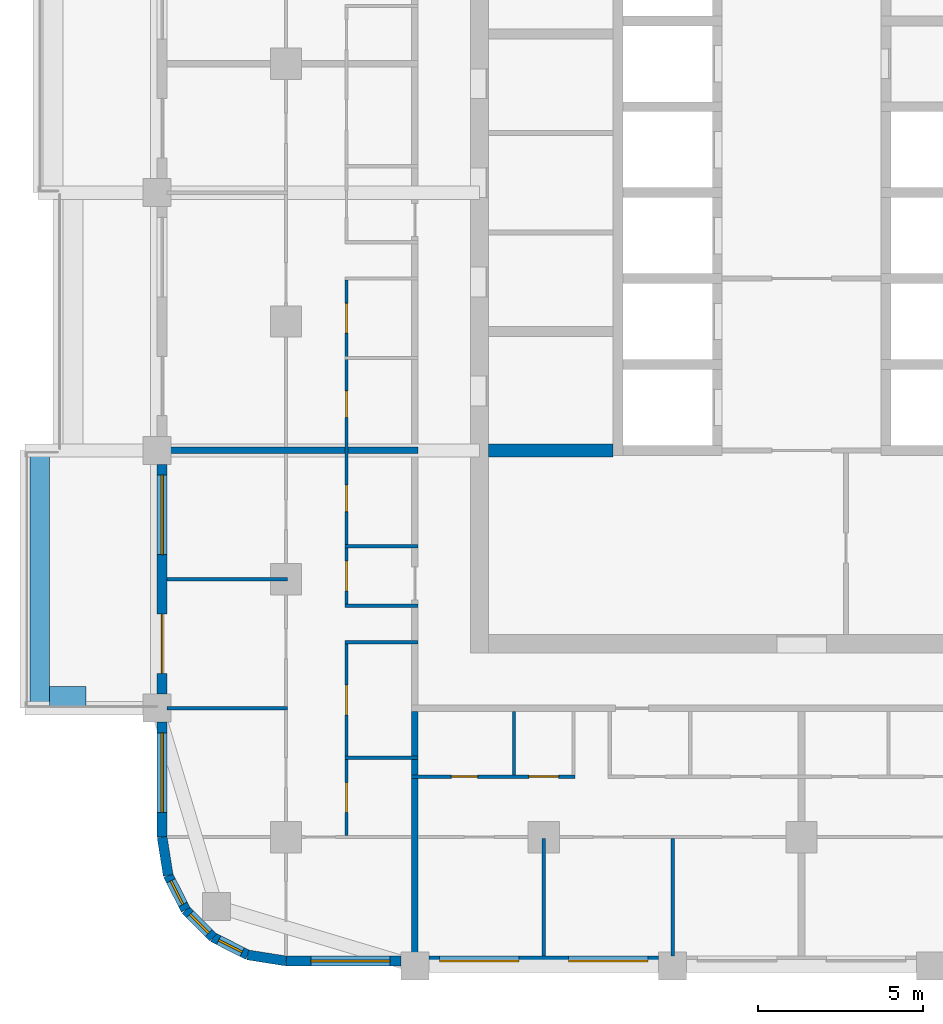
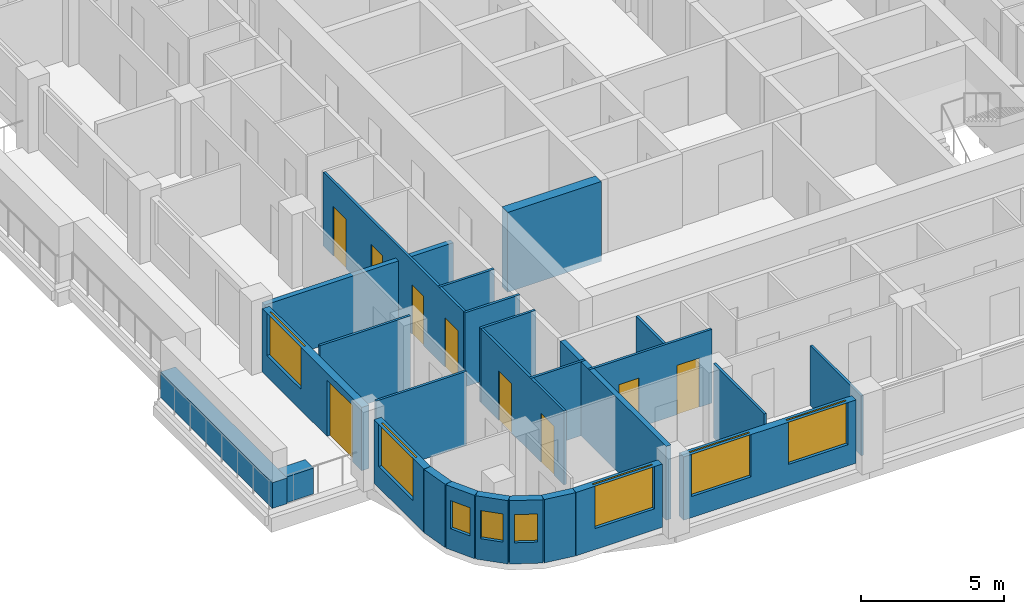
# One storey, part 2 of 13: 26 walls, 9 doors, 8 windows, 17 openings.
"""IFC4 building model written with IfcOpenShell, lengths in metres."""

from ifc_helpers import new_model, si_unit, direction, frame, frame_2d, origin, place, context, subcontext, project, spatial, rectangle, extrude, material, layer, layer_set, type_object, element, fill, save


model = new_model("IFC4")

# Units and contexts
model_context = context("Model", 3, precision=1e-05, world=origin(), true_north=direction((0.0, 1.0)))
body_context = subcontext(model_context, "Body", "Model", "MODEL_VIEW")
ifc_project = project(units=[si_unit("LENGTHUNIT", "METRE"), si_unit("AREAUNIT", "SQUARE_METRE"), si_unit("VOLUMEUNIT", "CUBIC_METRE"), si_unit("PLANEANGLEUNIT", "RADIAN"), si_unit("MASSUNIT", "GRAM", prefix="KILO")], contexts=[model_context])

# Site, building, storey
site_placement = place(None, origin())
site = spatial("IfcSite", under=ifc_project, at=site_placement, CompositionType="ELEMENT")
building_placement = place(site_placement, origin())
building = spatial("IfcBuilding", under=site, at=building_placement, Name="Ludao Terraces", CompositionType="ELEMENT")
storey_placement = place(building_placement, frame((0.0, 0.0, 127.10009765625)))
storey = spatial("IfcBuildingStorey", under=building, at=storey_placement, Name="L34", CompositionType="ELEMENT", Elevation=127.10009765625)

# Walls
ifc_material_1 = material(Name="Concrete C40", Category="concrete")
ifc_layer_1 = layer(ifc_material_1, 0.60009765625)
ifc_layer_set_1 = layer_set([ifc_layer_1], Name="ENV Planter trough 600")
wall_type_1 = type_object("IfcWallType", Name="ENV Planter trough 600", PredefinedType="USERDEFINED", material=ifc_layer_set_1)
wall_1_placement = place(storey_placement, frame((61.949951171875, 53.300048828125, 0.0), z_axis=(0.0, 0.0, 1.0), x_axis=(0.0, 1.0, 0.0)))
element("IfcWall", 1, at=wall_1_placement, inside=storey, type_object=wall_type_1, Name="PL-L34-W1", ObjectType="PLANTER", PredefinedType="USERDEFINED", context=body_context, shape_type="SweptSolid", body=[
    extrude(rectangle(XDim=7.800048828125, YDim=0.60009765625, at=frame_2d((3.89990234375, 0.0))), origin(), (0.0, 0.0, 1.0), 1.099853515625),
])
wall_2_placement = place(storey_placement, frame((62.25, 53.64990234375, 0.0), z_axis=(0.0, 0.0, 1.0), x_axis=(1.0, 0.0, 0.0)))
element("IfcWall", 2, at=wall_2_placement, inside=storey, type_object=wall_type_1, Name="PL-L34-W1-SA", ObjectType="PLANTER", PredefinedType="USERDEFINED", context=body_context, shape_type="SweptSolid", body=[
    extrude(rectangle(XDim=1.10009765625, YDim=0.60009765625, at=frame_2d((0.550048828125, 0.0))), origin(), (0.0, 0.0, 1.0), 1.099853515625),
])

# Wall, opening, window
ifc_material_2 = material(Name="Granite cladding", Category="masonry")
ifc_layer_2 = layer(ifc_material_2, 0.0400390625, Category="stone")
ifc_material_3 = material(Name="Mineral wool")
ifc_layer_3 = layer(ifc_material_3, 0.06005859375)
ifc_layer_4 = layer(ifc_material_1, 0.199951171875, Category="concrete")
ifc_layer_set_2 = layer_set([ifc_layer_2, ifc_layer_3, ifc_layer_4], Name="ENV Stone-clad wall 300")
wall_type_2 = type_object("IfcWallType", Name="ENV Stone-clad wall 300", PredefinedType="SOLIDWALL", material=ifc_layer_set_2)
wall_3_placement = place(storey_placement, frame((69.39990234375, 45.64990234375, 0.0), z_axis=(0.0, 0.0, 1.0), x_axis=(1.0, 0.0, 0.0)))
wall_3 = element("IfcWall", 3, at=wall_3_placement, inside=storey, type_object=wall_type_2, Name="EW-L34-S1", PredefinedType="SOLIDWALL", context=body_context, shape_type="SweptSolid", body=[
    extrude(rectangle(XDim=3.47509765625, YDim=0.300048828125, at=frame_2d((1.737548828125, 0.0))), origin(), (0.0, 0.0, 1.0), 2.699951171875),
])
opening_1_placement = place(wall_3_placement, frame((0.75, 0.0, 0.89990234375)))
opening_1 = element("IfcOpeningElement", 4, at=opening_1_placement, cuts=wall_3, Name="Opening W1", PredefinedType="OPENING", context=body_context, shape_type="SweptSolid", body=[
    extrude(rectangle(XDim=2.39990234375, YDim=1.800048828125, at=frame_2d((1.199951171875, 0.89990234375))), frame((0.0, 0.16015625, 0.0), z_axis=(0.0, -1.0, 0.0), x_axis=(1.0, 0.0, 0.0)), (0.0, 0.0, 1.0), 0.320068359375),
])
ifc_material_4 = material(Name="Clear glass in aluminium frame", Category="aluminium")
ifc_layer_5 = layer(ifc_material_4, 0.06005859375)
ifc_layer_set_3 = layer_set([ifc_layer_5], Name="ENV Window W1 2400x1800")
window_type_1 = type_object("IfcWindowType", Name="ENV Window W1 2400x1800", PartitioningType="DOUBLE_PANEL_VERTICAL", PredefinedType="WINDOW", material=ifc_layer_set_3)
window_1_placement = place(opening_1_placement, origin())
window_1 = element("IfcWindow", 5, at=window_1_placement, inside=storey, type_object=window_type_1, Name="W-L34-S1-1", OverallHeight=1.800048828125, OverallWidth=2.39990234375, PartitioningType="DOUBLE_PANEL_VERTICAL", PredefinedType="WINDOW", context=body_context, shape_type="SweptSolid", body=[
    extrude(rectangle(XDim=2.39990234375, YDim=1.800048828125, at=frame_2d((1.199951171875, 0.89990234375))), frame((0.0, 0.030029296875, 0.0), z_axis=(0.0, -1.0, 0.0), x_axis=(1.0, 0.0, 0.0)), (0.0, 0.0, 1.0), 0.06005859375),
])
fill(opening_1, window_1)

# Wall, openings, windows
wall_4_placement = place(storey_placement, frame((73.72509765625, 45.64990234375, 0.0), z_axis=(0.0, 0.0, 1.0), x_axis=(1.0, 0.0, 0.0)))
wall_4 = element("IfcWall", 6, at=wall_4_placement, inside=storey, type_object=wall_type_2, Name="EW-L34-S2", PredefinedType="SOLIDWALL", context=body_context, shape_type="SweptSolid", body=[
    extrude(rectangle(XDim=6.949951171875, YDim=0.300048828125, at=frame_2d((3.47509765625, 0.0))), origin(), (0.0, 0.0, 1.0), 2.699951171875),
])
opening_2_placement = place(wall_4_placement, frame((0.324951171875, 0.0, 0.89990234375)))
opening_2 = element("IfcOpeningElement", 7, at=opening_2_placement, cuts=wall_4, Name="Opening W1", PredefinedType="OPENING", context=body_context, shape_type="SweptSolid", body=[
    extrude(rectangle(XDim=2.39990234375, YDim=1.800048828125, at=frame_2d((1.199951171875, 0.89990234375))), frame((0.0, 0.16015625, 0.0), z_axis=(0.0, -1.0, 0.0), x_axis=(1.0, 0.0, 0.0)), (0.0, 0.0, 1.0), 0.320068359375),
])
opening_3_placement = place(wall_4_placement, frame((4.22509765625, 0.0, 0.89990234375)))
opening_3 = element("IfcOpeningElement", 8, at=opening_3_placement, cuts=wall_4, Name="Opening W1", PredefinedType="OPENING", context=body_context, shape_type="SweptSolid", body=[
    extrude(rectangle(XDim=2.39990234375, YDim=1.800048828125, at=frame_2d((1.199951171875, 0.89990234375))), frame((0.0, 0.16015625, 0.0), z_axis=(0.0, -1.0, 0.0), x_axis=(1.0, 0.0, 0.0)), (0.0, 0.0, 1.0), 0.320068359375),
])
window_2_placement = place(opening_2_placement, origin())
window_2 = element("IfcWindow", 9, at=window_2_placement, inside=storey, type_object=window_type_1, Name="W-L34-S2-1", OverallHeight=1.800048828125, OverallWidth=2.39990234375, PartitioningType="DOUBLE_PANEL_VERTICAL", PredefinedType="WINDOW", context=body_context, shape_type="SweptSolid", body=[
    extrude(rectangle(XDim=2.39990234375, YDim=1.800048828125, at=frame_2d((1.199951171875, 0.89990234375))), frame((0.0, 0.030029296875, 0.0), z_axis=(0.0, -1.0, 0.0), x_axis=(1.0, 0.0, 0.0)), (0.0, 0.0, 1.0), 0.06005859375),
])
fill(opening_2, window_2)
window_3_placement = place(opening_3_placement, origin())
window_3 = element("IfcWindow", 10, at=window_3_placement, inside=storey, type_object=window_type_1, Name="W-L34-S2-2", OverallHeight=1.800048828125, OverallWidth=2.39990234375, PartitioningType="DOUBLE_PANEL_VERTICAL", PredefinedType="WINDOW", context=body_context, shape_type="SweptSolid", body=[
    extrude(rectangle(XDim=2.39990234375, YDim=1.800048828125, at=frame_2d((1.199951171875, 0.89990234375))), frame((0.0, 0.030029296875, 0.0), z_axis=(0.0, -1.0, 0.0), x_axis=(1.0, 0.0, 0.0)), (0.0, 0.0, 1.0), 0.06005859375),
])
fill(opening_3, window_3)

# Wall, opening, window
wall_5_placement = place(storey_placement, frame((65.64990234375, 49.39990234375, 0.0), z_axis=(0.0, 0.0, 1.0), x_axis=(0.0, 1.0, 0.0)))
wall_5 = element("IfcWall", 11, at=wall_5_placement, inside=storey, type_object=wall_type_2, Name="EW-L34-W1", PredefinedType="SOLIDWALL", context=body_context, shape_type="SweptSolid", body=[
    extrude(rectangle(XDim=3.47509765625, YDim=0.300048828125, at=frame_2d((1.737548828125, 0.0))), origin(), (0.0, 0.0, 1.0), 2.699951171875),
])
opening_4_placement = place(wall_5_placement, frame((0.75, 0.0, 0.89990234375)))
opening_4 = element("IfcOpeningElement", 12, at=opening_4_placement, cuts=wall_5, Name="Opening W1", PredefinedType="OPENING", context=body_context, shape_type="SweptSolid", body=[
    extrude(rectangle(XDim=2.39990234375, YDim=1.800048828125, at=frame_2d((1.199951171875, 0.89990234375))), frame((0.0, 0.16015625, 0.0), z_axis=(0.0, -1.0, 0.0), x_axis=(1.0, 0.0, 0.0)), (0.0, 0.0, 1.0), 0.320068359375),
])
window_4_placement = place(opening_4_placement, origin())
window_4 = element("IfcWindow", 13, at=window_4_placement, inside=storey, type_object=window_type_1, Name="W-L34-W1-1", OverallHeight=1.800048828125, OverallWidth=2.39990234375, PartitioningType="DOUBLE_PANEL_VERTICAL", PredefinedType="WINDOW", context=body_context, shape_type="SweptSolid", body=[
    extrude(rectangle(XDim=2.39990234375, YDim=1.800048828125, at=frame_2d((1.199951171875, 0.89990234375))), frame((0.0, 0.030029296875, 0.0), z_axis=(0.0, -1.0, 0.0), x_axis=(1.0, 0.0, 0.0)), (0.0, 0.0, 1.0), 0.06005859375),
])
fill(opening_4, window_4)

# Wall, openings, door, window
wall_6_placement = place(storey_placement, frame((65.64990234375, 53.72509765625, 0.0), z_axis=(0.0, 0.0, 1.0), x_axis=(0.0, 1.0, 0.0)))
wall_6 = element("IfcWall", 14, at=wall_6_placement, inside=storey, type_object=wall_type_2, Name="EW-L34-W2", PredefinedType="SOLIDWALL", context=body_context, shape_type="SweptSolid", body=[
    extrude(rectangle(XDim=6.949951171875, YDim=0.300048828125, at=frame_2d((3.47509765625, 0.0))), origin(), (0.0, 0.0, 1.0), 2.699951171875),
])
opening_5_placement = place(wall_6_placement, frame((0.625, 0.0, 0.0)))
opening_5 = element("IfcOpeningElement", 15, at=opening_5_placement, cuts=wall_6, Name="Opening BD", PredefinedType="OPENING", context=body_context, shape_type="SweptSolid", body=[
    extrude(rectangle(XDim=1.800048828125, YDim=2.39990234375, at=frame_2d((0.89990234375, 1.199951171875))), frame((0.0, 0.16015625, 0.0), z_axis=(0.0, -1.0, 0.0), x_axis=(1.0, 0.0, 0.0)), (0.0, 0.0, 1.0), 0.320068359375),
])
opening_6_placement = place(wall_6_placement, frame((4.22509765625, 0.0, 0.89990234375)))
opening_6 = element("IfcOpeningElement", 16, at=opening_6_placement, cuts=wall_6, Name="Opening W1", PredefinedType="OPENING", context=body_context, shape_type="SweptSolid", body=[
    extrude(rectangle(XDim=2.39990234375, YDim=1.800048828125, at=frame_2d((1.199951171875, 0.89990234375))), frame((0.0, 0.16015625, 0.0), z_axis=(0.0, -1.0, 0.0), x_axis=(1.0, 0.0, 0.0)), (0.0, 0.0, 1.0), 0.320068359375),
])
ifc_material_5 = material(Name="Aluminium glazed door", Category="aluminium")
ifc_layer_6 = layer(ifc_material_5, 0.06005859375)
ifc_layer_set_4 = layer_set([ifc_layer_6], Name="ENV Balcony door BD 1800x2400")
door_type_1 = type_object("IfcDoorType", Name="ENV Balcony door BD 1800x2400", OperationType="DOUBLE_DOOR_SINGLE_SWING", PredefinedType="DOOR", material=ifc_layer_set_4)
door_1_placement = place(opening_5_placement, origin())
door_1 = element("IfcDoor", 17, at=door_1_placement, inside=storey, type_object=door_type_1, Name="BD-L34-W2-1", OperationType="DOUBLE_DOOR_SINGLE_SWING", OverallHeight=2.39990234375, OverallWidth=1.800048828125, PredefinedType="DOOR", context=body_context, shape_type="SweptSolid", body=[
    extrude(rectangle(XDim=1.800048828125, YDim=2.39990234375, at=frame_2d((0.89990234375, 1.199951171875))), frame((0.0, 0.02490234375, 0.0), z_axis=(0.0, -1.0, 0.0), x_axis=(1.0, 0.0, 0.0)), (0.0, 0.0, 1.0), 0.050048828125),
])
fill(opening_5, door_1)
window_5_placement = place(opening_6_placement, origin())
window_5 = element("IfcWindow", 18, at=window_5_placement, inside=storey, type_object=window_type_1, Name="W-L34-W2-2", OverallHeight=1.800048828125, OverallWidth=2.39990234375, PartitioningType="DOUBLE_PANEL_VERTICAL", PredefinedType="WINDOW", context=body_context, shape_type="SweptSolid", body=[
    extrude(rectangle(XDim=2.39990234375, YDim=1.800048828125, at=frame_2d((1.199951171875, 0.89990234375))), frame((0.0, 0.030029296875, 0.0), z_axis=(0.0, -1.0, 0.0), x_axis=(1.0, 0.0, 0.0)), (0.0, 0.0, 1.0), 0.06005859375),
])
fill(opening_6, window_5)

# Wall
wall_7_placement = place(storey_placement, frame((65.64990234375, 49.39990234375, 0.0), z_axis=(0.0, 0.0, 1.0), x_axis=(0.156496880861, -0.987678452879, 0.0)))
element("IfcWall", 19, at=wall_7_placement, inside=storey, type_object=wall_type_2, Name="EW-L34-SW1", PredefinedType="SOLIDWALL", context=body_context, shape_type="SweptSolid", body=[
    extrude(rectangle(XDim=1.173095703125, YDim=0.300048828125, at=frame_2d((0.58642578125, 0.0))), origin(), (0.0, 0.0, 1.0), 2.699951171875),
])

# Wall, opening, window
wall_8_placement = place(storey_placement, frame((65.83349609375, 48.2412109375, 0.0), z_axis=(0.0, 0.0, 1.0), x_axis=(0.454025524128, -0.890988677504, 0.0)))
wall_8 = element("IfcWall", 20, at=wall_8_placement, inside=storey, type_object=wall_type_2, Name="EW-L34-SW2", PredefinedType="SOLIDWALL", context=body_context, shape_type="SweptSolid", body=[
    extrude(rectangle(XDim=1.17333984375, YDim=0.300048828125, at=frame_2d((0.586669921875, 0.0))), origin(), (0.0, 0.0, 1.0), 2.699951171875),
])
opening_7_placement = place(wall_8_placement, frame((0.1865234375, 0.0, 0.89990234375)))
opening_7 = element("IfcOpeningElement", 21, at=opening_7_placement, cuts=wall_8, Name="Opening W3", PredefinedType="OPENING", context=body_context, shape_type="SweptSolid", body=[
    extrude(rectangle(XDim=0.800048828125, YDim=1.199951171875, at=frame_2d((0.39990234375, 0.60009765625))), frame((0.0, 0.16015625, 0.0), z_axis=(0.0, -1.0, 0.0), x_axis=(1.0, 0.0, 0.0)), (0.0, 0.0, 1.0), 0.320068359375),
])
ifc_layer_7 = layer(ifc_material_4, 0.06005859375)
ifc_layer_set_5 = layer_set([ifc_layer_7], Name="ENV Window W3 800x1200")
window_type_2 = type_object("IfcWindowType", Name="ENV Window W3 800x1200", PartitioningType="SINGLE_PANEL", PredefinedType="WINDOW", material=ifc_layer_set_5)
window_6_placement = place(opening_7_placement, origin())
window_6 = element("IfcWindow", 22, at=window_6_placement, inside=storey, type_object=window_type_2, Name="W-L34-SW2", OverallHeight=1.199951171875, OverallWidth=0.800048828125, PartitioningType="SINGLE_PANEL", PredefinedType="WINDOW", context=body_context, shape_type="SweptSolid", body=[
    extrude(rectangle(XDim=0.800048828125, YDim=1.199951171875, at=frame_2d((0.39990234375, 0.60009765625))), frame((0.0, 0.030029296875, 0.0), z_axis=(0.0, -1.0, 0.0), x_axis=(1.0, 0.0, 0.0)), (0.0, 0.0, 1.0), 0.06005859375),
])
fill(opening_7, window_6)

wall_9_placement = place(storey_placement, frame((66.3662109375, 47.19580078125, 0.0), z_axis=(0.0, 0.0, 1.0), x_axis=(0.707106781187, -0.707106781187, 0.0)))
wall_9 = element("IfcWall", 23, at=wall_9_placement, inside=storey, type_object=wall_type_2, Name="EW-L34-SW3", PredefinedType="SOLIDWALL", context=body_context, shape_type="SweptSolid", body=[
    extrude(rectangle(XDim=1.173095703125, YDim=0.300048828125, at=frame_2d((0.58642578125, 0.0))), origin(), (0.0, 0.0, 1.0), 2.699951171875),
])
opening_8_placement = place(wall_9_placement, frame((0.1865234375, 0.0, 0.89990234375)))
opening_8 = element("IfcOpeningElement", 24, at=opening_8_placement, cuts=wall_9, Name="Opening W3", PredefinedType="OPENING", context=body_context, shape_type="SweptSolid", body=[
    extrude(rectangle(XDim=0.800048828125, YDim=1.199951171875, at=frame_2d((0.39990234375, 0.60009765625))), frame((0.0, 0.16015625, 0.0), z_axis=(0.0, -1.0, 0.0), x_axis=(1.0, 0.0, 0.0)), (0.0, 0.0, 1.0), 0.320068359375),
])
window_7_placement = place(opening_8_placement, origin())
window_7 = element("IfcWindow", 25, at=window_7_placement, inside=storey, type_object=window_type_2, Name="W-L34-SW3", OverallHeight=1.199951171875, OverallWidth=0.800048828125, PartitioningType="SINGLE_PANEL", PredefinedType="WINDOW", context=body_context, shape_type="SweptSolid", body=[
    extrude(rectangle(XDim=0.800048828125, YDim=1.199951171875, at=frame_2d((0.39990234375, 0.60009765625))), frame((0.0, 0.030029296875, 0.0), z_axis=(0.0, -1.0, 0.0), x_axis=(1.0, 0.0, 0.0)), (0.0, 0.0, 1.0), 0.06005859375),
])
fill(opening_8, window_7)

wall_10_placement = place(storey_placement, frame((67.19580078125, 46.3662109375, 0.0), z_axis=(0.0, 0.0, 1.0), x_axis=(0.890988677504, -0.454025524128, 0.0)))
wall_10 = element("IfcWall", 26, at=wall_10_placement, inside=storey, type_object=wall_type_2, Name="EW-L34-SW4", PredefinedType="SOLIDWALL", context=body_context, shape_type="SweptSolid", body=[
    extrude(rectangle(XDim=1.17333984375, YDim=0.300048828125, at=frame_2d((0.586669921875, 0.0))), origin(), (0.0, 0.0, 1.0), 2.699951171875),
])
opening_9_placement = place(wall_10_placement, frame((0.1865234375, 0.0, 0.89990234375)))
opening_9 = element("IfcOpeningElement", 27, at=opening_9_placement, cuts=wall_10, Name="Opening W3", PredefinedType="OPENING", context=body_context, shape_type="SweptSolid", body=[
    extrude(rectangle(XDim=0.800048828125, YDim=1.199951171875, at=frame_2d((0.39990234375, 0.60009765625))), frame((0.0, 0.16015625, 0.0), z_axis=(0.0, -1.0, 0.0), x_axis=(1.0, 0.0, 0.0)), (0.0, 0.0, 1.0), 0.320068359375),
])
window_8_placement = place(opening_9_placement, origin())
window_8 = element("IfcWindow", 28, at=window_8_placement, inside=storey, type_object=window_type_2, Name="W-L34-SW4", OverallHeight=1.199951171875, OverallWidth=0.800048828125, PartitioningType="SINGLE_PANEL", PredefinedType="WINDOW", context=body_context, shape_type="SweptSolid", body=[
    extrude(rectangle(XDim=0.800048828125, YDim=1.199951171875, at=frame_2d((0.39990234375, 0.60009765625))), frame((0.0, 0.030029296875, 0.0), z_axis=(0.0, -1.0, 0.0), x_axis=(1.0, 0.0, 0.0)), (0.0, 0.0, 1.0), 0.06005859375),
])
fill(opening_9, window_8)

# Wall
wall_11_placement = place(storey_placement, frame((68.2412109375, 45.83349609375, 0.0), z_axis=(0.0, 0.0, 1.0), x_axis=(0.987678452879, -0.156496880861, 0.0)))
element("IfcWall", 29, at=wall_11_placement, inside=storey, type_object=wall_type_2, Name="EW-L34-SW5", PredefinedType="SOLIDWALL", context=body_context, shape_type="SweptSolid", body=[
    extrude(rectangle(XDim=1.173095703125, YDim=0.300048828125, at=frame_2d((0.58642578125, 0.0))), origin(), (0.0, 0.0, 1.0), 2.699951171875),
])

# Wall, openings, doors
ifc_material_6 = material(Name="Gypsum plasterboard", Category="gypsum")
ifc_layer_8 = layer(ifc_material_6, 0.012451171875, Category="gypsum")
ifc_layer_9 = layer(ifc_material_3, 0.06005859375, Name="insulation")
ifc_material_7 = material(Name="Steel Q235", Category="steel")
ifc_layer_10 = layer(ifc_material_7, 0.014892578125, Name="stud")
ifc_layer_11 = layer(ifc_material_6, 0.012451171875, Category="gypsum")
ifc_layer_set_6 = layer_set([ifc_layer_8, ifc_layer_9, ifc_layer_10, ifc_layer_11], Name="INT Partition 100")
wall_type_3 = type_object("IfcWallType", Name="INT Partition 100", PredefinedType="PARTITIONING", material=ifc_layer_set_6)
wall_12_placement = place(storey_placement, frame((73.2001953125, 51.22998046875, 0.0), z_axis=(0.0, 0.0, 1.0), x_axis=(1.0, 0.0, 0.0)))
wall_12 = element("IfcWall", 30, at=wall_12_placement, inside=storey, type_object=wall_type_3, Name="PW-L34-PW002", PredefinedType="PARTITIONING", context=body_context, shape_type="SweptSolid", body=[
    extrude(rectangle(XDim=4.949951171875, YDim=0.10009765625, at=frame_2d((2.47509765625, 0.0))), origin(), (0.0, 0.0, 1.0), 3.14990234375),
])
opening_10_placement = place(wall_12_placement, frame((1.199951171875, 0.0, 0.0)))
opening_10 = element("IfcOpeningElement", 31, at=opening_10_placement, cuts=wall_12, Name="Opening R10-012", PredefinedType="OPENING", context=body_context, shape_type="SweptSolid", body=[
    extrude(rectangle(XDim=0.800048828125, YDim=2.10009765625, at=frame_2d((0.39990234375, 1.050048828125))), frame((0.0, 0.06005859375, 0.0), z_axis=(0.0, -1.0, 0.0), x_axis=(1.0, 0.0, 0.0)), (0.0, 0.0, 1.0), 0.1201171875),
])
opening_11_placement = place(wall_12_placement, frame((3.5498046875, 0.0, 0.0)))
opening_11 = element("IfcOpeningElement", 32, at=opening_11_placement, cuts=wall_12, Name="Opening R10-013", PredefinedType="OPENING", context=body_context, shape_type="SweptSolid", body=[
    extrude(rectangle(XDim=0.89990234375, YDim=2.10009765625, at=frame_2d((0.449951171875, 1.050048828125))), frame((0.0, 0.06005859375, 0.0), z_axis=(0.0, -1.0, 0.0), x_axis=(1.0, 0.0, 0.0)), (0.0, 0.0, 1.0), 0.1201171875),
])
ifc_material_8 = material(Name="Timber door leaf", Category="wood")
door_type_2 = type_object("IfcDoorType", Name="INT Bathroom door 900", OperationType="SINGLE_SWING_LEFT", PredefinedType="DOOR", material=ifc_material_8)
door_2_placement = place(opening_11_placement, origin())
door_2 = element("IfcDoor", 33, at=door_2_placement, inside=storey, type_object=door_type_2, Name="DOOR 013", OperationType="SINGLE_SWING_LEFT", OverallHeight=2.10009765625, OverallWidth=0.89990234375, PredefinedType="DOOR", context=body_context, shape_type="SweptSolid", body=[
    extrude(rectangle(XDim=0.89990234375, YDim=2.10009765625, at=frame_2d((0.449951171875, 1.050048828125))), frame((0.0, 0.02490234375, 0.0), z_axis=(0.0, -1.0, 0.0), x_axis=(1.0, 0.0, 0.0)), (0.0, 0.0, 1.0), 0.050048828125),
])
fill(opening_11, door_2)
door_type_3 = type_object("IfcDoorType", Name="INT Store door 800", OperationType="SINGLE_SWING_LEFT", PredefinedType="DOOR", material=ifc_material_8)
door_3_placement = place(opening_10_placement, origin())
door_3 = element("IfcDoor", 34, at=door_3_placement, inside=storey, type_object=door_type_3, Name="DOOR 012", OperationType="SINGLE_SWING_LEFT", OverallHeight=2.10009765625, OverallWidth=0.800048828125, PredefinedType="DOOR", context=body_context, shape_type="SweptSolid", body=[
    extrude(rectangle(XDim=0.800048828125, YDim=2.10009765625, at=frame_2d((0.39990234375, 1.050048828125))), frame((0.0, 0.02490234375, 0.0), z_axis=(0.0, -1.0, 0.0), x_axis=(1.0, 0.0, 0.0)), (0.0, 0.0, 1.0), 0.050048828125),
])
fill(opening_10, door_3)

# Walls
wall_13_placement = place(storey_placement, frame((71.18017578125, 51.800048828125, 0.0), z_axis=(0.0, 0.0, 1.0), x_axis=(1.0, 0.0, 0.0)))
element("IfcWall", 35, at=wall_13_placement, inside=storey, type_object=wall_type_3, Name="PW-L34-PW005", PredefinedType="PARTITIONING", context=body_context, shape_type="SweptSolid", body=[
    extrude(rectangle(XDim=2.219970703125, YDim=0.10009765625, at=frame_2d((1.10986328125, 0.0))), origin(), (0.0, 0.0, 1.0), 3.14990234375),
])
wall_14_placement = place(storey_placement, frame((65.800048828125, 53.300048828125, 0.0), z_axis=(0.0, 0.0, 1.0), x_axis=(1.0, 0.0, 0.0)))
element("IfcWall", 36, at=wall_14_placement, inside=storey, type_object=wall_type_3, Name="PW-L34-PW006", PredefinedType="PARTITIONING", context=body_context, shape_type="SweptSolid", body=[
    extrude(rectangle(XDim=3.650146484375, YDim=0.10009765625, at=frame_2d((1.8251953125, 0.0))), origin(), (0.0, 0.0, 1.0), 3.14990234375),
])
for number, where, z_axis, x_axis, name in (
    (37, (71.18017578125, 55.300048828125, 0.0), (0.0, 0.0, 1.0), (1.0, 0.0, 0.0), "PW-L34-PW009"),
    (38, (71.18017578125, 56.39990234375, 0.0), (0.0, 0.0, 1.0), (1.0, 0.0, 0.0), "PW-L34-PW010"),
):
    element("IfcWall", number, at=place(storey_placement, frame(where, z_axis=z_axis, x_axis=x_axis)), inside=storey, type_object=wall_type_3, Name=name, PredefinedType="PARTITIONING", context=body_context, shape_type="SweptSolid", body=[
        extrude(rectangle(XDim=2.219970703125, YDim=0.10009765625, at=frame_2d((1.10986328125, 0.0))), origin(), (0.0, 0.0, 1.0), 3.14990234375),
    ])
wall_15_placement = place(storey_placement, frame((65.800048828125, 57.199951171875, 0.0), z_axis=(0.0, 0.0, 1.0), x_axis=(1.0, 0.0, 0.0)))
element("IfcWall", 39, at=wall_15_placement, inside=storey, type_object=wall_type_3, Name="PW-L34-PW012", PredefinedType="PARTITIONING", context=body_context, shape_type="SweptSolid", body=[
    extrude(rectangle(XDim=3.650146484375, YDim=0.10009765625, at=frame_2d((1.8251953125, 0.0))), origin(), (0.0, 0.0, 1.0), 3.14990234375),
])
wall_16_placement = place(storey_placement, frame((71.18017578125, 58.199951171875, 0.0), z_axis=(0.0, 0.0, 1.0), x_axis=(1.0, 0.0, 0.0)))
element("IfcWall", 40, at=wall_16_placement, inside=storey, type_object=wall_type_3, Name="PW-L34-PW014", PredefinedType="PARTITIONING", context=body_context, shape_type="SweptSolid", body=[
    extrude(rectangle(XDim=2.219970703125, YDim=0.10009765625, at=frame_2d((1.10986328125, 0.0))), origin(), (0.0, 0.0, 1.0), 3.14990234375),
])

# Wall, openings, doors
wall_17_placement = place(storey_placement, frame((71.22998046875, 49.4501953125, 0.0), z_axis=(0.0, 0.0, 1.0), x_axis=(0.0, 1.0, 0.0)))
wall_17 = element("IfcWall", 41, at=wall_17_placement, inside=storey, type_object=wall_type_3, Name="PW-L34-PW047", PredefinedType="PARTITIONING", context=body_context, shape_type="SweptSolid", body=[
    extrude(rectangle(XDim=5.7998046875, YDim=0.10009765625, at=frame_2d((2.89990234375, 0.0))), origin(), (0.0, 0.0, 1.0), 3.14990234375),
])
opening_12_placement = place(wall_17_placement, frame((0.699951171875, 0.0, 0.0)))
opening_12 = element("IfcOpeningElement", 42, at=opening_12_placement, cuts=wall_17, Name="Opening R10-011", PredefinedType="OPENING", context=body_context, shape_type="SweptSolid", body=[
    extrude(rectangle(XDim=0.89990234375, YDim=2.10009765625, at=frame_2d((0.449951171875, 1.050048828125))), frame((0.0, 0.06005859375, 0.0), z_axis=(0.0, -1.0, 0.0), x_axis=(1.0, 0.0, 0.0)), (0.0, 0.0, 1.0), 0.1201171875),
])
opening_13_placement = place(wall_17_placement, frame((3.64990234375, 0.0, 0.0)))
opening_13 = element("IfcOpeningElement", 43, at=opening_13_placement, cuts=wall_17, Name="Opening R10-025", PredefinedType="OPENING", context=body_context, shape_type="SweptSolid", body=[
    extrude(rectangle(XDim=0.89990234375, YDim=2.10009765625, at=frame_2d((0.449951171875, 1.050048828125))), frame((0.0, 0.06005859375, 0.0), z_axis=(0.0, -1.0, 0.0), x_axis=(1.0, 0.0, 0.0)), (0.0, 0.0, 1.0), 0.1201171875),
])
door_4_placement = place(opening_12_placement, origin())
door_4 = element("IfcDoor", 44, at=door_4_placement, inside=storey, type_object=door_type_2, Name="DOOR 011", OperationType="SINGLE_SWING_RIGHT", OverallHeight=2.10009765625, OverallWidth=0.89990234375, PredefinedType="DOOR", context=body_context, shape_type="SweptSolid", body=[
    extrude(rectangle(XDim=0.89990234375, YDim=2.10009765625, at=frame_2d((0.449951171875, 1.050048828125))), frame((0.0, 0.02490234375, 0.0), z_axis=(0.0, -1.0, 0.0), x_axis=(1.0, 0.0, 0.0)), (0.0, 0.0, 1.0), 0.050048828125),
])
fill(opening_12, door_4)
door_type_4 = type_object("IfcDoorType", Name="INT Room door 900", OperationType="SINGLE_SWING_LEFT", PredefinedType="DOOR", material=ifc_material_8)
door_5_placement = place(opening_13_placement, origin())
door_5 = element("IfcDoor", 45, at=door_5_placement, inside=storey, type_object=door_type_4, Name="DOOR 025", OperationType="SINGLE_SWING_LEFT", OverallHeight=2.10009765625, OverallWidth=0.89990234375, PredefinedType="DOOR", context=body_context, shape_type="SweptSolid", body=[
    extrude(rectangle(XDim=0.89990234375, YDim=2.10009765625, at=frame_2d((0.449951171875, 1.050048828125))), frame((0.0, 0.02490234375, 0.0), z_axis=(0.0, -1.0, 0.0), x_axis=(1.0, 0.0, 0.0)), (0.0, 0.0, 1.0), 0.050048828125),
])
fill(opening_13, door_5)

wall_18_placement = place(storey_placement, frame((71.22998046875, 56.4501953125, 0.0), z_axis=(0.0, 0.0, 1.0), x_axis=(0.0, 1.0, 0.0)))
wall_18 = element("IfcWall", 46, at=wall_18_placement, inside=storey, type_object=wall_type_3, Name="PW-L34-PW048", PredefinedType="PARTITIONING", context=body_context, shape_type="SweptSolid", body=[
    extrude(rectangle(XDim=9.7998046875, YDim=0.10009765625, at=frame_2d((4.89990234375, 0.0))), origin(), (0.0, 0.0, 1.0), 3.14990234375),
])
opening_14_placement = place(wall_18_placement, frame((0.39990234375, 0.0, 0.0)))
opening_14 = element("IfcOpeningElement", 47, at=opening_14_placement, cuts=wall_18, Name="Opening R10-031", PredefinedType="OPENING", context=body_context, shape_type="SweptSolid", body=[
    extrude(rectangle(XDim=0.89990234375, YDim=2.10009765625, at=frame_2d((0.449951171875, 1.050048828125))), frame((0.0, 0.06005859375, 0.0), z_axis=(0.0, -1.0, 0.0), x_axis=(1.0, 0.0, 0.0)), (0.0, 0.0, 1.0), 0.1201171875),
])
opening_15_placement = place(wall_18_placement, frame((2.7998046875, 0.0, 0.0)))
opening_15 = element("IfcOpeningElement", 48, at=opening_15_placement, cuts=wall_18, Name="Opening R10-036", PredefinedType="OPENING", context=body_context, shape_type="SweptSolid", body=[
    extrude(rectangle(XDim=0.800048828125, YDim=2.10009765625, at=frame_2d((0.39990234375, 1.050048828125))), frame((0.0, 0.06005859375, 0.0), z_axis=(0.0, -1.0, 0.0), x_axis=(1.0, 0.0, 0.0)), (0.0, 0.0, 1.0), 0.1201171875),
])
opening_16_placement = place(wall_18_placement, frame((5.64990234375, 0.0, 0.0)))
opening_16 = element("IfcOpeningElement", 49, at=opening_16_placement, cuts=wall_18, Name="Opening R10-040", PredefinedType="OPENING", context=body_context, shape_type="SweptSolid", body=[
    extrude(rectangle(XDim=0.800048828125, YDim=2.10009765625, at=frame_2d((0.39990234375, 1.050048828125))), frame((0.0, 0.06005859375, 0.0), z_axis=(0.0, -1.0, 0.0), x_axis=(1.0, 0.0, 0.0)), (0.0, 0.0, 1.0), 0.1201171875),
])
opening_17_placement = place(wall_18_placement, frame((8.199951171875, 0.0, 0.0)))
opening_17 = element("IfcOpeningElement", 50, at=opening_17_placement, cuts=wall_18, Name="Opening R10-047", PredefinedType="OPENING", context=body_context, shape_type="SweptSolid", body=[
    extrude(rectangle(XDim=0.89990234375, YDim=2.10009765625, at=frame_2d((0.449951171875, 1.050048828125))), frame((0.0, 0.06005859375, 0.0), z_axis=(0.0, -1.0, 0.0), x_axis=(1.0, 0.0, 0.0)), (0.0, 0.0, 1.0), 0.1201171875),
])
door_6_placement = place(opening_14_placement, origin())
door_6 = element("IfcDoor", 51, at=door_6_placement, inside=storey, type_object=door_type_2, Name="DOOR 031", OperationType="SINGLE_SWING_RIGHT", OverallHeight=2.10009765625, OverallWidth=0.89990234375, PredefinedType="DOOR", context=body_context, shape_type="SweptSolid", body=[
    extrude(rectangle(XDim=0.89990234375, YDim=2.10009765625, at=frame_2d((0.449951171875, 1.050048828125))), frame((0.0, 0.02490234375, 0.0), z_axis=(0.0, -1.0, 0.0), x_axis=(1.0, 0.0, 0.0)), (0.0, 0.0, 1.0), 0.050048828125),
])
fill(opening_14, door_6)
door_7_placement = place(opening_17_placement, origin())
door_7 = element("IfcDoor", 52, at=door_7_placement, inside=storey, type_object=door_type_2, Name="DOOR 047", OperationType="SINGLE_SWING_LEFT", OverallHeight=2.10009765625, OverallWidth=0.89990234375, PredefinedType="DOOR", context=body_context, shape_type="SweptSolid", body=[
    extrude(rectangle(XDim=0.89990234375, YDim=2.10009765625, at=frame_2d((0.449951171875, 1.050048828125))), frame((0.0, 0.02490234375, 0.0), z_axis=(0.0, -1.0, 0.0), x_axis=(1.0, 0.0, 0.0)), (0.0, 0.0, 1.0), 0.050048828125),
])
fill(opening_17, door_7)
door_8_placement = place(opening_15_placement, origin())
door_8 = element("IfcDoor", 53, at=door_8_placement, inside=storey, type_object=door_type_3, Name="DOOR 036", OperationType="SINGLE_SWING_LEFT", OverallHeight=2.10009765625, OverallWidth=0.800048828125, PredefinedType="DOOR", context=body_context, shape_type="SweptSolid", body=[
    extrude(rectangle(XDim=0.800048828125, YDim=2.10009765625, at=frame_2d((0.39990234375, 1.050048828125))), frame((0.0, 0.02490234375, 0.0), z_axis=(0.0, -1.0, 0.0), x_axis=(1.0, 0.0, 0.0)), (0.0, 0.0, 1.0), 0.050048828125),
])
fill(opening_15, door_8)
door_9_placement = place(opening_16_placement, origin())
door_9 = element("IfcDoor", 54, at=door_9_placement, inside=storey, type_object=door_type_3, Name="DOOR 040", OperationType="SINGLE_SWING_RIGHT", OverallHeight=2.10009765625, OverallWidth=0.800048828125, PredefinedType="DOOR", context=body_context, shape_type="SweptSolid", body=[
    extrude(rectangle(XDim=0.800048828125, YDim=2.10009765625, at=frame_2d((0.39990234375, 1.050048828125))), frame((0.0, 0.02490234375, 0.0), z_axis=(0.0, -1.0, 0.0), x_axis=(1.0, 0.0, 0.0)), (0.0, 0.0, 1.0), 0.050048828125),
])
fill(opening_16, door_9)

# Walls
wall_19_placement = place(storey_placement, frame((76.300048828125, 51.280029296875, 0.0), z_axis=(0.0, 0.0, 1.0), x_axis=(0.0, 1.0, 0.0)))
element("IfcWall", 55, at=wall_19_placement, inside=storey, type_object=wall_type_3, Name="PW-L34-PW053", PredefinedType="PARTITIONING", context=body_context, shape_type="SweptSolid", body=[
    extrude(rectangle(XDim=1.920166015625, YDim=0.10009765625, at=frame_2d((0.9599609375, 0.0))), origin(), (0.0, 0.0, 1.0), 3.14990234375),
])
wall_20_placement = place(storey_placement, frame((77.199951171875, 45.800048828125, 0.0), z_axis=(0.0, 0.0, 1.0), x_axis=(0.0, 1.0, 0.0)))
element("IfcWall", 56, at=wall_20_placement, inside=storey, type_object=wall_type_3, Name="PW-L34-PW054", PredefinedType="PARTITIONING", context=body_context, shape_type="SweptSolid", body=[
    extrude(rectangle(XDim=3.550048828125, YDim=0.10009765625, at=frame_2d((1.77490234375, 0.0))), origin(), (0.0, 0.0, 1.0), 3.14990234375),
])
wall_21_placement = place(storey_placement, frame((81.10009765625, 45.800048828125, 0.0), z_axis=(0.0, 0.0, 1.0), x_axis=(0.0, 1.0, 0.0)))
element("IfcWall", 57, at=wall_21_placement, inside=storey, type_object=wall_type_3, Name="PW-L34-PW057", PredefinedType="PARTITIONING", context=body_context, shape_type="SweptSolid", body=[
    extrude(rectangle(XDim=3.550048828125, YDim=0.10009765625, at=frame_2d((1.77490234375, 0.0))), origin(), (0.0, 0.0, 1.0), 2.5498046875),
])
ifc_material_9 = material(Name="Autoclaved aerated concrete block B06 A3.5", Category="concrete")
ifc_layer_12 = layer(ifc_material_9, 0.199951171875)
ifc_layer_set_7 = layer_set([ifc_layer_12], Name="INT Party wall 200")
wall_type_4 = type_object("IfcWallType", Name="INT Party wall 200", PredefinedType="PARTITIONING", material=ifc_layer_set_7)
wall_22_placement = place(storey_placement, frame((65.800048828125, 61.10009765625, 0.0), z_axis=(0.0, 0.0, 1.0), x_axis=(1.0, 0.0, 0.0)))
element("IfcWall", 58, at=wall_22_placement, inside=storey, type_object=wall_type_4, Name="PW-L34-PW016", PredefinedType="PARTITIONING", context=body_context, shape_type="SweptSolid", body=[
    extrude(rectangle(XDim=7.60009765625, YDim=0.199951171875, at=frame_2d((3.800048828125, 0.0))), origin(), (0.0, 0.0, 1.0), 2.5498046875),
])
wall_23_placement = place(storey_placement, frame((73.300048828125, 45.800048828125, 0.0), z_axis=(0.0, 0.0, 1.0), x_axis=(0.0, 1.0, 0.0)))
element("IfcWall", 59, at=wall_23_placement, inside=storey, type_object=wall_type_4, Name="PW-L34-PW051", PredefinedType="PARTITIONING", context=body_context, shape_type="SweptSolid", body=[
    extrude(rectangle(XDim=7.400146484375, YDim=0.199951171875, at=frame_2d((3.7001953125, 0.0))), origin(), (0.0, 0.0, 1.0), 3.14990234375),
])
ifc_material_10 = material(Name="Concrete C55", Category="concrete")
ifc_layer_13 = layer(ifc_material_10, 0.39990234375)
ifc_layer_set_8 = layer_set([ifc_layer_13], Name="Shaft wall 400 C55")
wall_type_5 = type_object("IfcWallType", Name="Shaft wall 400 C55", PredefinedType="SOLIDWALL", material=ifc_layer_set_8)
wall_24_placement = place(storey_placement, frame((75.52490234375, 61.10009765625, -0.25), z_axis=(0.0, 0.0, 1.0), x_axis=(1.0, 0.0, 0.0)))
element("IfcWall", 60, at=wall_24_placement, inside=storey, type_object=wall_type_5, Name="Core wall L34 hall-W", PredefinedType="SOLIDWALL", context=body_context, shape_type="SweptSolid", body=[
    extrude(rectangle(XDim=3.775146484375, YDim=0.39990234375, at=frame_2d((1.8876953125, 0.0))), origin(), (0.0, 0.0, 1.0), 3.39990234375),
])

save(model, "model.ifc")
